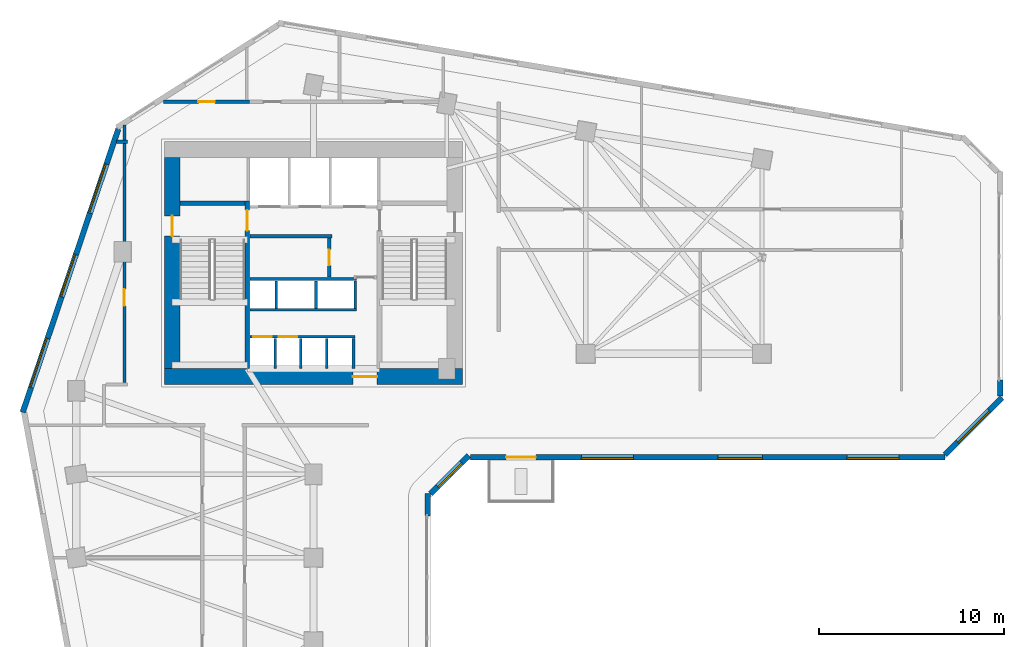
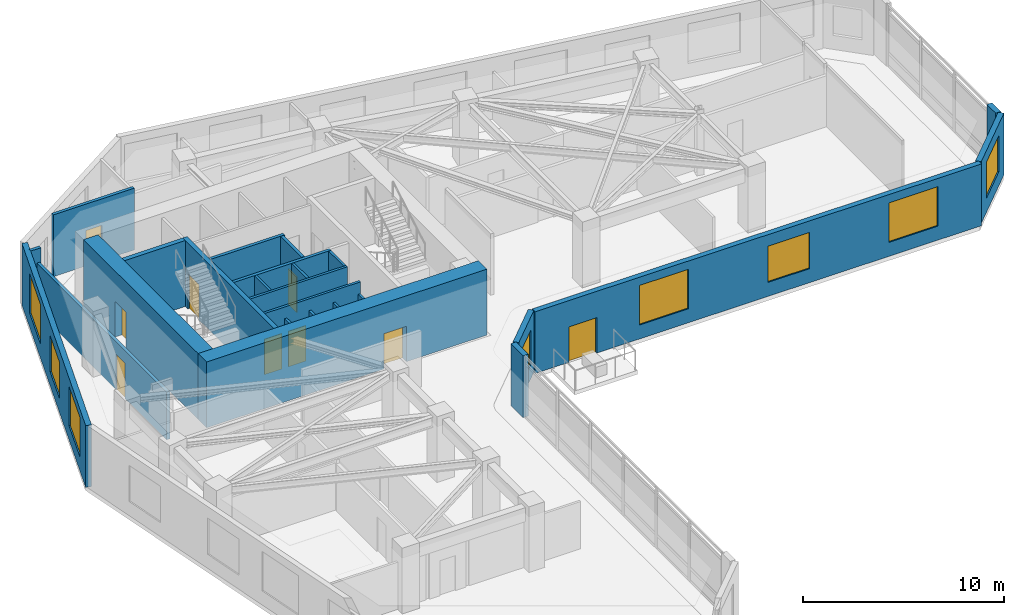
# One storey, part 7 of 11: 25 walls, 9 doors, 8 windows, 17 openings.
"""IFC4 building model written with IfcOpenShell, lengths in metres."""

import ifcopenshell
import ifcopenshell.guid

model = None  # the IFC model being written
_history = None  # IfcOwnerHistory: only IFC2X3 demands one
_inside = {}  # id of a spatial element -> (the spatial element, [elements in it])
_under = {}  # id of a project, library or spatial element -> (it, [spatial elements below it])
_declared = {}  # id of a project -> (the project, [libraries it declares])
_typed = {}  # id of a type object -> (the type object, [elements of that type])
_made_of = {}  # id of a material, layer set ... -> (it, [elements and type objects made of it])


def new_model(schema):
    """Start an empty IFC model of exactly this schema.

    Asked for "IFC4X3", IfcOpenShell would pick the latest addendum, in which some entities
    have other attributes; the version numbers below select the first issue.
    IFC2X3 requires an IfcOwnerHistory on every rooted entity: one is made here for all.
    """
    global model, _history
    if schema == "IFC4X3":
        model = ifcopenshell.file(schema_version=(4, 3, 0, 0))
    else:
        model = ifcopenshell.file(schema=schema)
    _inside.clear()
    _under.clear()
    _declared.clear()
    _typed.clear()
    _made_of.clear()
    _history = None
    if model.schema == "IFC2X3":
        org = make("IfcOrganization", Name="unknown")
        user = make(
            "IfcPersonAndOrganization",
            ThePerson=make("IfcPerson", FamilyName="unknown"),
            TheOrganization=org,
        )
        app = make(
            "IfcApplication",
            ApplicationDeveloper=org,
            Version="unknown",
            ApplicationFullName="unknown",
            ApplicationIdentifier="unknown",
        )
        _history = make(
            "IfcOwnerHistory",
            OwningUser=user,
            OwningApplication=app,
            ChangeAction="ADDED",
            CreationDate=0,
        )
    return model


def make(cls, **values):
    """One entity of the class cls with the attributes given. An attribute that is None is left unset."""
    return model.create_entity(
        cls, **{name: value for name, value in values.items() if value is not None}
    )


def rooted(cls, **values):
    """An entity with a GlobalId (a new one), such as an element, a storey or a relation."""
    return make(cls, GlobalId=ifcopenshell.guid.new(), OwnerHistory=_history, **values)


def si_unit(unit_type, name, prefix=None):
    """IfcSIUnit, for example si_unit("LENGTHUNIT", "METRE", prefix="MILLI")."""
    return make("IfcSIUnit", UnitType=unit_type, Prefix=prefix, Name=name)


def assignment(units):
    """IfcUnitAssignment: the units of a project."""
    return None if units is None else make("IfcUnitAssignment", Units=units)


def point(xyz):
    """IfcCartesianPoint."""
    return None if xyz is None else make("IfcCartesianPoint", Coordinates=xyz)


def direction(xyz):
    """IfcDirection."""
    return None if xyz is None else make("IfcDirection", DirectionRatios=xyz)


def frame(location, z_axis=None, x_axis=None):
    """IfcAxis2Placement3D, a coordinate frame: its origin and axes. An axis left out is left unset."""
    return make(
        "IfcAxis2Placement3D",
        Location=point(location),
        Axis=direction(z_axis),
        RefDirection=direction(x_axis),
    )


def frame_2d(location, x_axis=None):
    """IfcAxis2Placement2D, a coordinate frame in the plane: its origin and x axis."""
    return make(
        "IfcAxis2Placement2D", Location=point(location), RefDirection=direction(x_axis)
    )


def origin():
    """The frame at (0, 0, 0) with its axes left unset."""
    return frame((0.0, 0.0, 0.0))


def place(relative_to, where):
    """IfcLocalPlacement: puts the frame where relative to a parent placement (None: the world)."""
    return make(
        "IfcLocalPlacement", PlacementRelTo=relative_to, RelativePlacement=where
    )


def context(
    kind, dimensions, precision=None, world=None, true_north=None, identifier=None
):
    """IfcGeometricRepresentationContext, for example the 3D "Model" context."""
    return make(
        "IfcGeometricRepresentationContext",
        ContextIdentifier=identifier,
        ContextType=kind,
        CoordinateSpaceDimension=dimensions,
        Precision=precision,
        WorldCoordinateSystem=world,
        TrueNorth=true_north,
    )


def subcontext(parent, identifier, kind, view, scale=None):
    """IfcGeometricRepresentationSubContext, for example "Body" below "Model"."""
    return make(
        "IfcGeometricRepresentationSubContext",
        ContextIdentifier=identifier,
        ContextType=kind,
        ParentContext=parent,
        TargetScale=scale,
        TargetView=view,
    )


def project(units=None, contexts=None):
    """IfcProject with its units and contexts."""
    return rooted(
        "IfcProject",
        Name="project",
        RepresentationContexts=contexts,
        UnitsInContext=assignment(units),
    )


def spatial(cls, under=None, at=None, **own):
    """A site, building, storey or space (cls), placed at a placement, below another one or the project."""
    s = rooted(cls, ObjectPlacement=at, **own)
    if under is not None:
        _under.setdefault(under.id(), (under, []))[1].append(s)
    return s


def profile(cls, at=None, kind="AREA", **sizes):
    """A parametric profile (cls). Its sizes go by their IFC names, for example OverallWidth=200.0."""
    return make(cls, ProfileType=kind, Position=at, **sizes)


def rectangle(**sizes):
    """IfcRectangleProfileDef."""
    return profile("IfcRectangleProfileDef", **sizes)


def extrude(swept, where, along, depth):
    """IfcExtrudedAreaSolid: the profile swept, set in the frame where, extruded along a direction by depth."""
    return make(
        "IfcExtrudedAreaSolid",
        SweptArea=swept,
        Position=where,
        ExtrudedDirection=direction(along),
        Depth=depth,
    )


def shape(context_of_items, identifier, shape_type, items):
    """IfcShapeRepresentation: the items that make up one representation, for example the "Body"."""
    return make(
        "IfcShapeRepresentation",
        ContextOfItems=context_of_items,
        RepresentationIdentifier=identifier,
        RepresentationType=shape_type,
        Items=items,
    )


def source(mapping_origin, context_of_items, identifier, shape_type, items):
    """IfcRepresentationMap: a shape defined once, which mapped items show again and again."""
    return make(
        "IfcRepresentationMap",
        MappingOrigin=mapping_origin,
        MappedRepresentation=shape(context_of_items, identifier, shape_type, items),
    )


def transform(
    local_origin,
    x_axis=None,
    y_axis=None,
    z_axis=None,
    scale=None,
    scale2=None,
    scale3=None,
    uniform=True,
):
    """IfcCartesianTransformationOperator3D, or its non-uniform kind. x_axis, y_axis, z_axis: its Axis1, 2, 3."""
    if uniform:
        return make(
            "IfcCartesianTransformationOperator3D",
            Axis1=direction(x_axis),
            Axis2=direction(y_axis),
            LocalOrigin=point(local_origin),
            Scale=scale,
            Axis3=direction(z_axis),
        )
    return make(
        "IfcCartesianTransformationOperator3DnonUniform",
        Axis1=direction(x_axis),
        Axis2=direction(y_axis),
        LocalOrigin=point(local_origin),
        Scale=scale,
        Axis3=direction(z_axis),
        Scale2=scale2,
        Scale3=scale3,
    )


def mapped(mapping_source, mapping_target):
    """IfcMappedItem: shows the shape of a source again, moved by a transform."""
    return make(
        "IfcMappedItem", MappingSource=mapping_source, MappingTarget=mapping_target
    )


def material(Name=None, Category=None):
    """IfcMaterial."""
    return make("IfcMaterial", Name=Name, Category=Category)


def layer(
    of_material, thickness, ventilated=None, Name=None, Category=None, Priority=None
):
    """IfcMaterialLayer: one layer of a wall or slab, of a material (None: an air gap)."""
    return make(
        "IfcMaterialLayer",
        Material=of_material,
        LayerThickness=thickness,
        IsVentilated=ventilated,
        Name=Name,
        Category=Category,
        Priority=Priority,
    )


def layer_set(layers, Name=None):
    """IfcMaterialLayerSet."""
    return make("IfcMaterialLayerSet", MaterialLayers=layers, LayerSetName=Name)


def made_of(thing, what):
    """Note that an element or type object is made of a material, layer set ...; save() writes the relation."""
    if what is not None:
        _made_of.setdefault(what.id(), (what, []))[1].append(thing)
    return thing


def type_object(cls, material=None, **own):
    """A type object (cls), such as IfcWallType, which elements share."""
    return made_of(rooted(cls, **own), material)


def element(
    cls,
    number,
    at=None,
    inside=None,
    cuts=None,
    type_object=None,
    material=None,
    context=None,
    identifier="Body",
    shape_type=None,
    held_by="IfcProductDefinitionShape",
    body=None,
    shapes=None,
    **own,
):
    """One element of the class cls, such as IfcWall. Its Tag is "e" and its number.

    at: its placement. inside: the storey or other place that contains it. cuts: it is an
    opening in that element (IfcRelVoidsElement). A single representation is given by context,
    identifier, shape_type and body (its items); several are given by shapes. held_by: the class
    of the entity that holds the representations. save() writes the other relations.
    """
    e = rooted(cls, Tag="e%d" % number, ObjectPlacement=at, **own)
    if body is not None:
        shapes = [shape(context, identifier, shape_type, body)]
    if shapes is not None:
        e.Representation = make(held_by, Representations=shapes)
    if inside is not None:
        _inside.setdefault(inside.id(), (inside, []))[1].append(e)
    if cuts is not None:
        rooted(
            "IfcRelVoidsElement", RelatingBuildingElement=cuts, RelatedOpeningElement=e
        )
    if type_object is not None:
        _typed.setdefault(type_object.id(), (type_object, []))[1].append(e)
    return made_of(e, material)


def fill(opening, filler):
    """IfcRelFillsElement: the door or window that sits in an opening."""
    return rooted(
        "IfcRelFillsElement",
        RelatingOpeningElement=opening,
        RelatedBuildingElement=filler,
    )


def aggregate(whole, parts):
    """IfcRelAggregates: a whole, such as a stair, and the parts it consists of."""
    return rooted("IfcRelAggregates", RelatingObject=whole, RelatedObjects=parts)


def save(model, path):
    """Write the relations noted so far, then the file.

    IfcRelAggregates (storeys below a building ...), IfcRelContainedInSpatialStructure (elements
    in a storey), IfcRelDefinesByType, IfcRelAssociatesMaterial and IfcRelDeclares: one each for
    every whole, place, type object, material and project.
    """
    for whole, parts in _under.values():
        aggregate(whole, parts)
    for where, things in _inside.values():
        rooted(
            "IfcRelContainedInSpatialStructure",
            RelatedElements=things,
            RelatingStructure=where,
        )
    for kind, things in _typed.values():
        rooted("IfcRelDefinesByType", RelatedObjects=things, RelatingType=kind)
    for what, things in _made_of.values():
        rooted("IfcRelAssociatesMaterial", RelatedObjects=things, RelatingMaterial=what)
    for by, libraries in _declared.values():
        rooted("IfcRelDeclares", RelatingContext=by, RelatedDefinitions=libraries)
    model.write(path)


model = new_model("IFC4")

# Units and contexts
model_context = context("Model", 3, precision=1e-05, world=origin(), true_north=direction((0.0, 1.0)))
body_context = subcontext(model_context, "Body", "Model", "MODEL_VIEW")
ifc_project = project(units=[si_unit("LENGTHUNIT", "METRE"), si_unit("AREAUNIT", "SQUARE_METRE"), si_unit("VOLUMEUNIT", "CUBIC_METRE"), si_unit("PLANEANGLEUNIT", "RADIAN"), si_unit("MASSUNIT", "GRAM", prefix="KILO")], contexts=[model_context])

# Site, building, storey
site_placement = place(None, origin())
site = spatial("IfcSite", under=ifc_project, at=site_placement, CompositionType="ELEMENT")
building_placement = place(site_placement, origin())
building = spatial("IfcBuilding", under=site, at=building_placement, Name="Calvemar Wedge Station Tower", CompositionType="ELEMENT")
storey_placement = place(building_placement, frame((0.0, 0.0, 43.0)))
storey = spatial("IfcBuildingStorey", under=building, at=storey_placement, Name="L10", CompositionType="ELEMENT", Elevation=43.0)

# Wall, opening, door
ifc_material_1 = material(Name="Concrete C50", Category="concrete")
ifc_layer_1 = layer(ifc_material_1, 0.260009765625)
ifc_layer_set_1 = layer_set([ifc_layer_1], Name="Concrete C50")
wall_type_1 = type_object("IfcWallType", Name="SW-CORE-260", PredefinedType="SHEAR", material=ifc_layer_set_1)
wall_1_placement = place(storey_placement, frame((20.22998046875, 34.199951171875, 0.0), z_axis=(0.0, 0.0, 1.0), x_axis=(0.0, 1.0, 0.0)))
wall_1 = element("IfcWall", 1, at=wall_1_placement, inside=storey, type_object=wall_type_1, Name="Storey L10 Core Shear Wall SPINE-W", PredefinedType="SHEAR", context=body_context, shape_type="SweptSolid", body=[
    extrude(rectangle(XDim=9.06005859375, YDim=0.260009765625, at=frame_2d((4.530029296875, 0.0))), origin(), (0.0, 0.0, 1.0), 4.0),
])
shared_shape_1 = source(origin(), body_context, "Body", "SweptSolid", [
    extrude(rectangle(XDim=1.10009765625, YDim=2.14990234375, at=frame_2d((0.550048828125, 1.074951171875))), frame((0.0, 0.14013671875, 0.0), z_axis=(0.0, -1.0, 0.0), x_axis=(1.0, 0.0, 0.0)), (0.0, 0.0, 1.0), 0.280029296875),
])
opening_1_placement = place(wall_1_placement, frame((7.449951171875, 0.0, 0.0)))
opening_1 = element("IfcOpeningElement", 2, at=opening_1_placement, cuts=wall_1, Name="Opening FD-90", PredefinedType="OPENING", context=body_context, shape_type="MappedRepresentation", body=[
    mapped(shared_shape_1, transform((0.0, 0.0, 0.0), scale=1.0)),
])
ifc_material_2 = material(Name="Galvanized fire-rated steel door leaf P-90", Category="steel")
door_type_1 = type_object("IfcDoorType", Name="DR-FD90-1100", OperationType="NOTDEFINED", PredefinedType="DOOR", material=ifc_material_2)
shared_shape_2 = source(origin(), body_context, "Body", "SweptSolid", [
    extrude(rectangle(XDim=1.10009765625, YDim=2.14990234375, at=frame_2d((0.550048828125, 1.074951171875))), frame((0.0, 0.02490234375, 0.0), z_axis=(0.0, -1.0, 0.0), x_axis=(1.0, 0.0, 0.0)), (0.0, 0.0, 1.0), 0.050048828125),
])
door_1_placement = place(opening_1_placement, origin())
door_1 = element("IfcDoor", 3, at=door_1_placement, inside=storey, type_object=door_type_1, Name="L10 FF Lobby to Stair ST-C1 Door", OperationType="SINGLE_SWING_RIGHT", OverallHeight=2.14990234375, OverallWidth=1.10009765625, PredefinedType="DOOR", context=body_context, shape_type="MappedRepresentation", body=[
    mapped(shared_shape_2, transform((0.0, 0.0, 0.0), scale=1.0)),
])
fill(opening_1, door_1)

# Wall
wall_2_placement = place(storey_placement, frame((16.60009765625, 43.1298828125, 0.0), z_axis=(0.0, 0.0, 1.0), x_axis=(1.0, 0.0, 0.0)))
element("IfcWall", 4, at=wall_2_placement, inside=storey, type_object=wall_type_1, Name="Storey L10 Core Shear Wall STC1-N", PredefinedType="SHEAR", context=body_context, shape_type="SweptSolid", body=[
    extrude(rectangle(XDim=3.5, YDim=0.260009765625, at=frame_2d((1.75, 0.0))), origin(), (0.0, 0.0, 1.0), 4.0),
])

# Wall, opening, door
ifc_material_3 = material(Name="Concrete C80", Category="concrete")
ifc_layer_2 = layer(ifc_material_3, 0.85009765625)
ifc_layer_set_2 = layer_set([ifc_layer_2], Name="Concrete C80")
wall_type_2 = type_object("IfcWallType", Name="SW-CORE-850", PredefinedType="SHEAR", material=ifc_layer_set_2)
wall_3_placement = place(storey_placement, frame((15.75, 33.77490234375, 0.0), z_axis=(0.0, 0.0, 1.0), x_axis=(1.0, 0.0, 0.0)))
wall_3 = element("IfcWall", 5, at=wall_3_placement, inside=storey, type_object=wall_type_2, Name="Storey L10 Core Shear Wall S", PredefinedType="SHEAR", context=body_context, shape_type="SweptSolid", body=[
    extrude(rectangle(XDim=16.10009765625, YDim=0.85009765625, at=frame_2d((8.050048828125, 0.0))), origin(), (0.0, 0.0, 1.0), 4.0),
])
shared_shape_3 = source(origin(), body_context, "Body", "SweptSolid", [
    extrude(rectangle(XDim=1.300048828125, YDim=2.14990234375, at=frame_2d((0.64990234375, 1.074951171875))), frame((0.0, 0.43505859375, 0.0), z_axis=(0.0, -1.0, 0.0), x_axis=(1.0, 0.0, 0.0)), (0.0, 0.0, 1.0), 0.8701171875),
])
opening_2_placement = place(wall_3_placement, frame((10.179931640625, 0.0, 0.0)))
opening_2 = element("IfcOpeningElement", 6, at=opening_2_placement, cuts=wall_3, Name="Opening DD-130", PredefinedType="OPENING", context=body_context, shape_type="MappedRepresentation", body=[
    mapped(shared_shape_3, transform((0.0, 0.0, 0.0), scale=1.0)),
])
ifc_material_4 = material(Name="Double-leaf lift lobby fire door EI 60")
door_type_2 = type_object("IfcDoorType", Name="DR-DBL-1300", OperationType="DOUBLE_DOOR_SINGLE_SWING", PredefinedType="DOOR", material=ifc_material_4)
shared_shape_4 = source(origin(), body_context, "Body", "SweptSolid", [
    extrude(rectangle(XDim=1.300048828125, YDim=2.14990234375, at=frame_2d((0.64990234375, 1.074951171875))), frame((0.0, 0.02490234375, 0.0), z_axis=(0.0, -1.0, 0.0), x_axis=(1.0, 0.0, 0.0)), (0.0, 0.0, 1.0), 0.050048828125),
])
door_2_placement = place(opening_2_placement, origin())
door_2 = element("IfcDoor", 7, at=door_2_placement, inside=storey, type_object=door_type_2, Name="L10 Passenger Lift Lobby Door", OperationType="DOUBLE_DOOR_SINGLE_SWING", OverallHeight=2.14990234375, OverallWidth=1.300048828125, PredefinedType="DOOR", context=body_context, shape_type="MappedRepresentation", body=[
    mapped(shared_shape_4, transform((0.0, 0.0, 0.0), scale=1.0)),
])
fill(opening_2, door_2)

wall_4_placement = place(storey_placement, frame((16.175048828125, 34.199951171875, 0.0), z_axis=(0.0, 0.0, 1.0), x_axis=(0.0, 1.0, 0.0)))
wall_4 = element("IfcWall", 8, at=wall_4_placement, inside=storey, type_object=wall_type_2, Name="Storey L10 Core Shear Wall W", PredefinedType="SHEAR", context=body_context, shape_type="SweptSolid", body=[
    extrude(rectangle(XDim=11.400146484375, YDim=0.85009765625, at=frame_2d((5.7001953125, 0.0))), origin(), (0.0, 0.0, 1.0), 4.0),
])
shared_shape_5 = source(origin(), body_context, "Body", "SweptSolid", [
    extrude(rectangle(XDim=1.10009765625, YDim=2.14990234375, at=frame_2d((0.550048828125, 1.074951171875))), frame((0.0, 0.43505859375, 0.0), z_axis=(0.0, -1.0, 0.0), x_axis=(1.0, 0.0, 0.0)), (0.0, 0.0, 1.0), 0.8701171875),
])
opening_3_placement = place(wall_4_placement, frame((7.14990234375, 0.0, 0.0)))
opening_3 = element("IfcOpeningElement", 9, at=opening_3_placement, cuts=wall_4, Name="Opening FD-90", PredefinedType="OPENING", context=body_context, shape_type="MappedRepresentation", body=[
    mapped(shared_shape_5, transform((0.0, 0.0, 0.0), scale=1.0)),
])
door_3_placement = place(opening_3_placement, origin())
door_3 = element("IfcDoor", 10, at=door_3_placement, inside=storey, type_object=door_type_1, Name="L10 West Corridor to Exit Stair ST-C1 Door", OperationType="SINGLE_SWING_RIGHT", OverallHeight=2.14990234375, OverallWidth=1.10009765625, PredefinedType="DOOR", context=body_context, shape_type="MappedRepresentation", body=[
    mapped(shared_shape_2, transform((0.0, 0.0, 0.0), scale=1.0)),
])
fill(opening_3, door_3)

# Wall
ifc_material_5 = material(Name="Double-stud fire-rated corridor partition")
ifc_layer_3 = layer(ifc_material_5, 0.179931640625)
ifc_layer_set_3 = layer_set([ifc_layer_3], Name="Double-stud fire-rated corridor partition")
wall_type_3 = type_object("IfcWallType", Name="W-CORR-180", PredefinedType="PARTITIONING", material=ifc_layer_set_3)
wall_5_placement = place(storey_placement, frame((24.81005859375, 41.35009765625, 0.0), z_axis=(0.0, 0.0, 1.0), x_axis=(-1.0, 0.0, 0.0)))
element("IfcWall", 11, at=wall_5_placement, inside=storey, type_object=wall_type_3, Name="Storey L10 Interior Partition WL-L10-001", PredefinedType="PARTITIONING", context=body_context, shape_type="SweptSolid", body=[
    extrude(rectangle(XDim=4.43017578125, YDim=0.179931640625, at=frame_2d((2.215087890625, 0.0))), origin(), (0.0, 0.0, 1.0), 3.75),
])

# Wall, opening, door
wall_6_placement = place(storey_placement, frame((24.64990234375, 41.256103515625, 0.0), z_axis=(0.0, 0.0, 1.0), x_axis=(0.0, -1.0, 0.0)))
wall_6 = element("IfcWall", 12, at=wall_6_placement, inside=storey, type_object=wall_type_3, Name="Storey L10 Interior Partition WL-L10-002", PredefinedType="PARTITIONING", context=body_context, shape_type="SweptSolid", body=[
    extrude(rectangle(XDim=2.106201171875, YDim=0.179931640625, at=frame_2d((1.05322265625, 0.0))), origin(), (0.0, 0.0, 1.0), 3.75),
])
shared_shape_6 = source(origin(), body_context, "Body", "SweptSolid", [
    extrude(rectangle(XDim=0.85009765625, YDim=2.14990234375, at=frame_2d((0.425048828125, 1.074951171875))), frame((0.0, 0.10009765625, 0.0), z_axis=(0.0, -1.0, 0.0), x_axis=(1.0, 0.0, 0.0)), (0.0, 0.0, 1.0), 0.199951171875),
])
opening_4_placement = place(wall_6_placement, frame((0.6279296875, 0.0, 0.0)))
opening_4 = element("IfcOpeningElement", 13, at=opening_4_placement, cuts=wall_6, Name="Opening FD-60S", PredefinedType="OPENING", context=body_context, shape_type="MappedRepresentation", body=[
    mapped(shared_shape_6, transform((0.0, 0.0, 0.0), scale=1.0)),
])
ifc_material_6 = material(Name="Fire-rated steel and hardwood service door EI 60", Category="steel")
door_type_3 = type_object("IfcDoorType", Name="DR-CORE-FD60-850", OperationType="NOTDEFINED", PredefinedType="DOOR", material=ifc_material_6)
shared_shape_7 = source(origin(), body_context, "Body", "SweptSolid", [
    extrude(rectangle(XDim=0.85009765625, YDim=2.14990234375, at=frame_2d((0.425048828125, 1.074951171875))), frame((0.0, 0.02490234375, 0.0), z_axis=(0.0, -1.0, 0.0), x_axis=(1.0, 0.0, 0.0)), (0.0, 0.0, 1.0), 0.050048828125),
])
door_4_placement = place(opening_4_placement, origin())
door_4 = element("IfcDoor", 14, at=door_4_placement, inside=storey, type_object=door_type_3, Name="L10 Cleaner and Linen Store Door", OperationType="SINGLE_SWING_RIGHT", OverallHeight=2.14990234375, OverallWidth=0.85009765625, PredefinedType="DOOR", context=body_context, shape_type="MappedRepresentation", body=[
    mapped(shared_shape_7, transform((0.0, 0.0, 0.0), scale=1.0)),
])
fill(opening_4, door_4)

wall_7_placement = place(storey_placement, frame((13.60009765625, 33.444091796875, 0.0), z_axis=(0.0, 0.0, 1.0), x_axis=(0.0, 1.0, 0.0)))
wall_7 = element("IfcWall", 15, at=wall_7_placement, inside=storey, type_object=wall_type_3, Name="Storey L10 Interior Partition WL-L10-008", PredefinedType="PARTITIONING", context=body_context, shape_type="SweptSolid", body=[
    extrude(rectangle(XDim=13.896240234375, YDim=0.179931640625, at=frame_2d((6.9482421875, 0.0))), origin(), (0.0, 0.0, 1.0), 2.89208984375),
])
shared_shape_8 = source(origin(), body_context, "Body", "SweptSolid", [
    extrude(rectangle(XDim=0.89990234375, YDim=2.14990234375, at=frame_2d((0.449951171875, 1.074951171875))), frame((0.0, 0.10009765625, 0.0), z_axis=(0.0, -1.0, 0.0), x_axis=(1.0, 0.0, 0.0)), (0.0, 0.0, 1.0), 0.199951171875),
])
opening_5_placement = place(wall_7_placement, frame((4.143798828125, 0.0, 0.0)))
opening_5 = element("IfcOpeningElement", 16, at=opening_5_placement, cuts=wall_7, Name="Opening D-01", PredefinedType="OPENING", context=body_context, shape_type="MappedRepresentation", body=[
    mapped(shared_shape_8, transform((0.0, 0.0, 0.0), scale=1.0)),
])
ifc_material_7 = material(Name="Architectural hardwood acoustic swing door", Category="wood")
door_type_4 = type_object("IfcDoorType", Name="DR-INT-900", OperationType="NOTDEFINED", PredefinedType="DOOR", material=ifc_material_7)
shared_shape_9 = source(origin(), body_context, "Body", "SweptSolid", [
    extrude(rectangle(XDim=0.89990234375, YDim=2.14990234375, at=frame_2d((0.449951171875, 1.074951171875))), frame((0.0, 0.02490234375, 0.0), z_axis=(0.0, -1.0, 0.0), x_axis=(1.0, 0.0, 0.0)), (0.0, 0.0, 1.0), 0.050048828125),
])
door_5_placement = place(opening_5_placement, origin())
door_5 = element("IfcDoor", 17, at=door_5_placement, inside=storey, type_object=door_type_4, Name="L10 Co-Working Studio Door", OperationType="SINGLE_SWING_RIGHT", OverallHeight=2.14990234375, OverallWidth=0.89990234375, PredefinedType="DOOR", context=body_context, shape_type="MappedRepresentation", body=[
    mapped(shared_shape_9, transform((0.0, 0.0, 0.0), scale=1.0)),
])
fill(opening_5, door_5)

# Wall
wall_8_placement = place(storey_placement, frame((13.760009765625, 46.449951171875, 0.0), z_axis=(0.0, 0.0, 1.0), x_axis=(-1.0, 0.0, 0.0)))
element("IfcWall", 18, at=wall_8_placement, inside=storey, type_object=wall_type_3, Name="Storey L10 Interior Partition WL-L10-009", PredefinedType="PARTITIONING", context=body_context, shape_type="SweptSolid", body=[
    extrude(rectangle(XDim=0.60107421875, YDim=0.179931640625, at=frame_2d((0.300537109375, 0.0))), origin(), (0.0, 0.0, 1.0), 3.75),
])

# Wall, opening, door
wall_9_placement = place(storey_placement, frame((15.709716796875, 48.60009765625, 0.0), z_axis=(0.0, 0.0, 1.0), x_axis=(1.0, 0.0, 0.0)))
wall_9 = element("IfcWall", 19, at=wall_9_placement, inside=storey, type_object=wall_type_3, Name="Storey L10 Interior Partition WL-L10-010", PredefinedType="PARTITIONING", context=body_context, shape_type="SweptSolid", body=[
    extrude(rectangle(XDim=4.650390625, YDim=0.179931640625, at=frame_2d((2.3251953125, 0.0))), origin(), (0.0, 0.0, 1.0), 3.75),
])
opening_6_placement = place(wall_9_placement, frame((1.875, 0.0, 0.0)))
opening_6 = element("IfcOpeningElement", 20, at=opening_6_placement, cuts=wall_9, Name="Opening D-01", PredefinedType="OPENING", context=body_context, shape_type="MappedRepresentation", body=[
    mapped(shared_shape_8, transform((0.0, 0.0, 0.0), scale=1.0)),
])
door_6_placement = place(opening_6_placement, origin())
door_6 = element("IfcDoor", 21, at=door_6_placement, inside=storey, type_object=door_type_4, Name="L10 Male Toilet Door", OperationType="SINGLE_SWING_LEFT", OverallHeight=2.14990234375, OverallWidth=0.89990234375, PredefinedType="DOOR", context=body_context, shape_type="MappedRepresentation", body=[
    mapped(shared_shape_9, transform((0.0, 0.0, 0.0), scale=1.0)),
])
fill(opening_6, door_6)

# Wall
ifc_material_8 = material(Name="Precast concrete C45", Category="concrete")
ifc_layer_4 = layer(ifc_material_8, 0.300048828125)
ifc_layer_set_4 = layer_set([ifc_layer_4], Name="Precast concrete C45")
wall_type_4 = type_object("IfcWallType", Name="W-EXT-GFRC-300", PredefinedType="SOLIDWALL", material=ifc_layer_set_4)
wall_10_placement = place(storey_placement, frame((29.97802734375, 26.2470703125, 0.0), z_axis=(0.0, 0.0, 1.0), x_axis=(0.0, 1.0, 0.0)))
element("IfcWall", 22, at=wall_10_placement, inside=storey, type_object=wall_type_4, Name="Storey L10 Bronze GFRC Corner Pier 4B", PredefinedType="SOLIDWALL", context=body_context, shape_type="SweptSolid", body=[
    extrude(rectangle(XDim=1.22509765625, YDim=0.300048828125, at=frame_2d((0.612548828125, 0.0))), origin(), (0.0, 0.0, 1.0), 3.75),
])

# Wall, opening, window
wall_11_placement = place(storey_placement, frame((30.115966796875, 27.460205078125, 0.0), z_axis=(0.0, 0.0, 1.0), x_axis=(0.707106781187, 0.707106781187, 0.0)))
wall_11 = element("IfcWall", 23, at=wall_11_placement, inside=storey, type_object=wall_type_4, Name="Storey L10 Bronze GFRC Exterior Wall 5", PredefinedType="SOLIDWALL", context=body_context, shape_type="SweptSolid", body=[
    extrude(rectangle(XDim=2.907470703125, YDim=0.300048828125, at=frame_2d((1.45361328125, 0.0))), origin(), (0.0, 0.0, 1.0), 3.75),
])
shared_shape_10 = source(origin(), body_context, "Body", "SweptSolid", [
    extrude(rectangle(XDim=1.800048828125, YDim=2.10009765625, at=frame_2d((0.89990234375, 1.050048828125))), frame((0.0, 0.16015625, 0.0), z_axis=(0.0, -1.0, 0.0), x_axis=(1.0, 0.0, 0.0)), (0.0, 0.0, 1.0), 0.320068359375),
])
opening_7_placement = place(wall_11_placement, frame((0.553955078125, 0.0, 0.85009765625)))
opening_7 = element("IfcOpeningElement", 24, at=opening_7_placement, cuts=wall_11, Name="Opening W2", PredefinedType="OPENING", context=body_context, shape_type="MappedRepresentation", body=[
    mapped(shared_shape_10, transform((0.0, 0.0, 0.0), scale=1.0)),
])
ifc_material_9 = material(Name="Low-E laminated insulated glass", Category="glass")
window_type_1 = type_object("IfcWindowType", Name="WIN-EXT-2", PartitioningType="SINGLE_PANEL", PredefinedType="WINDOW", material=ifc_material_9)
shared_shape_11 = source(origin(), body_context, "Body", "SweptSolid", [
    extrude(rectangle(XDim=1.800048828125, YDim=2.10009765625, at=frame_2d((0.89990234375, 1.050048828125))), frame((0.0, -0.014892578125, 0.0), z_axis=(0.0, -1.0, 0.0), x_axis=(1.0, 0.0, 0.0)), (0.0, 0.0, 1.0), 0.06005859375),
])
window_1_placement = place(opening_7_placement, origin())
window_1 = element("IfcWindow", 25, at=window_1_placement, inside=storey, type_object=window_type_1, Name="Storey L10 Recessed Window 5.1", OverallHeight=2.10009765625, OverallWidth=1.800048828125, PartitioningType="SINGLE_PANEL", PredefinedType="WINDOW", context=body_context, shape_type="MappedRepresentation", body=[
    mapped(shared_shape_11, transform((0.0, 0.0, 0.0), scale=1.0)),
])
fill(opening_7, window_1)

# Wall, openings, windows, door
wall_12_placement = place(storey_placement, frame((32.260986328125, 29.409912109375, 0.0), z_axis=(0.0, 0.0, 1.0), x_axis=(1.0, 0.0, 0.0)))
wall_12 = element("IfcWall", 26, at=wall_12_placement, inside=storey, type_object=wall_type_4, Name="Storey L10 Bronze GFRC Exterior Wall 6", PredefinedType="SOLIDWALL", context=body_context, shape_type="SweptSolid", body=[
    extrude(rectangle(XDim=25.626953125, YDim=0.300048828125, at=frame_2d((12.8134765625, 0.0))), origin(), (0.0, 0.0, 1.0), 3.75),
])
shared_shape_12 = source(origin(), body_context, "Body", "SweptSolid", [
    extrude(rectangle(XDim=1.60009765625, YDim=2.14990234375, at=frame_2d((0.800048828125, 1.074951171875))), frame((0.0, 0.16015625, 0.0), z_axis=(0.0, -1.0, 0.0), x_axis=(1.0, 0.0, 0.0)), (0.0, 0.0, 1.0), 0.320068359375),
])
opening_8_placement = place(wall_12_placement, frame((1.93896484375, 0.0, 0.0)))
opening_8 = element("IfcOpeningElement", 27, at=opening_8_placement, cuts=wall_12, Name="Opening DT1", PredefinedType="OPENING", context=body_context, shape_type="MappedRepresentation", body=[
    mapped(shared_shape_12, transform((0.0, 0.0, 0.0), scale=1.0)),
])
shared_shape_13 = source(origin(), body_context, "Body", "SweptSolid", [
    extrude(rectangle(XDim=2.800048828125, YDim=2.39990234375, at=frame_2d((1.39990234375, 1.199951171875))), frame((0.0, 0.16015625, 0.0), z_axis=(0.0, -1.0, 0.0), x_axis=(1.0, 0.0, 0.0)), (0.0, 0.0, 1.0), 0.320068359375),
])
opening_9_placement = place(wall_12_placement, frame((6.0, 0.0, 0.85009765625)))
opening_9 = element("IfcOpeningElement", 28, at=opening_9_placement, cuts=wall_12, Name="Opening W6", PredefinedType="OPENING", context=body_context, shape_type="MappedRepresentation", body=[
    mapped(shared_shape_13, transform((0.0, 0.0, 0.0), scale=1.0)),
])
shared_shape_14 = source(origin(), body_context, "Body", "SweptSolid", [
    extrude(rectangle(XDim=2.39990234375, YDim=2.199951171875, at=frame_2d((1.199951171875, 1.10009765625))), frame((0.0, 0.16015625, 0.0), z_axis=(0.0, -1.0, 0.0), x_axis=(1.0, 0.0, 0.0)), (0.0, 0.0, 1.0), 0.320068359375),
])
opening_10_placement = place(wall_12_placement, frame((13.363037109375, 0.0, 0.85009765625)))
opening_10 = element("IfcOpeningElement", 29, at=opening_10_placement, cuts=wall_12, Name="Opening W1", PredefinedType="OPENING", context=body_context, shape_type="MappedRepresentation", body=[
    mapped(shared_shape_14, transform((0.0, 0.0, 0.0), scale=1.0)),
])
opening_11_placement = place(wall_12_placement, frame((20.325927734375, 0.0, 0.85009765625)))
opening_11 = element("IfcOpeningElement", 30, at=opening_11_placement, cuts=wall_12, Name="Opening W6", PredefinedType="OPENING", context=body_context, shape_type="MappedRepresentation", body=[
    mapped(shared_shape_13, transform((0.0, 0.0, 0.0), scale=1.0)),
])
window_type_2 = type_object("IfcWindowType", Name="WIN-EXT-6", PartitioningType="SINGLE_PANEL", PredefinedType="WINDOW", material=ifc_material_9)
shared_shape_15 = source(origin(), body_context, "Body", "SweptSolid", [
    extrude(rectangle(XDim=2.800048828125, YDim=2.39990234375, at=frame_2d((1.39990234375, 1.199951171875))), frame((0.0, -0.014892578125, 0.0), z_axis=(0.0, -1.0, 0.0), x_axis=(1.0, 0.0, 0.0)), (0.0, 0.0, 1.0), 0.06005859375),
])
window_2_placement = place(opening_9_placement, origin())
window_2 = element("IfcWindow", 31, at=window_2_placement, inside=storey, type_object=window_type_2, Name="Storey L10 Recessed Window 6.1", OverallHeight=2.39990234375, OverallWidth=2.800048828125, PartitioningType="SINGLE_PANEL", PredefinedType="WINDOW", context=body_context, shape_type="MappedRepresentation", body=[
    mapped(shared_shape_15, transform((0.0, 0.0, 0.0), scale=1.0)),
])
fill(opening_9, window_2)
window_3_placement = place(opening_11_placement, origin())
window_3 = element("IfcWindow", 32, at=window_3_placement, inside=storey, type_object=window_type_2, Name="Storey L10 Recessed Window 6.3", OverallHeight=2.39990234375, OverallWidth=2.800048828125, PartitioningType="SINGLE_PANEL", PredefinedType="WINDOW", context=body_context, shape_type="MappedRepresentation", body=[
    mapped(shared_shape_15, transform((0.0, 0.0, 0.0), scale=1.0)),
])
fill(opening_11, window_3)
window_type_3 = type_object("IfcWindowType", Name="WIN-EXT-1", PartitioningType="SINGLE_PANEL", PredefinedType="WINDOW", material=ifc_material_9)
shared_shape_16 = source(origin(), body_context, "Body", "SweptSolid", [
    extrude(rectangle(XDim=2.39990234375, YDim=2.199951171875, at=frame_2d((1.199951171875, 1.10009765625))), frame((0.0, -0.014892578125, 0.0), z_axis=(0.0, -1.0, 0.0), x_axis=(1.0, 0.0, 0.0)), (0.0, 0.0, 1.0), 0.06005859375),
])
window_4_placement = place(opening_10_placement, origin())
window_4 = element("IfcWindow", 33, at=window_4_placement, inside=storey, type_object=window_type_3, Name="Storey L10 Recessed Window 6.2", OverallHeight=2.199951171875, OverallWidth=2.39990234375, PartitioningType="SINGLE_PANEL", PredefinedType="WINDOW", context=body_context, shape_type="MappedRepresentation", body=[
    mapped(shared_shape_16, transform((0.0, 0.0, 0.0), scale=1.0)),
])
fill(opening_10, window_4)
ifc_material_10 = material(Name="Anodised aluminium 6063-T6", Category="aluminium")
door_type_5 = type_object("IfcDoorType", Name="DR-TERR-1600", OperationType="DOUBLE_DOOR_SLIDING", PredefinedType="DOOR", material=ifc_material_10)
shared_shape_17 = source(origin(), body_context, "Body", "SweptSolid", [
    extrude(rectangle(XDim=1.60009765625, YDim=2.14990234375, at=frame_2d((0.800048828125, 1.074951171875))), frame((0.0, 0.02490234375, 0.0), z_axis=(0.0, -1.0, 0.0), x_axis=(1.0, 0.0, 0.0)), (0.0, 0.0, 1.0), 0.050048828125),
])
door_7_placement = place(opening_8_placement, origin())
door_7 = element("IfcDoor", 34, at=door_7_placement, inside=storey, type_object=door_type_5, Name="Storey L10 Spiral Terrace Door", OperationType="DOUBLE_DOOR_SLIDING", OverallHeight=2.14990234375, OverallWidth=1.60009765625, PredefinedType="DOOR", context=body_context, shape_type="MappedRepresentation", body=[
    mapped(shared_shape_17, transform((0.0, 0.0, 0.0), scale=1.0)),
])
fill(opening_8, door_7)

# Wall, opening, window
wall_13_placement = place(storey_placement, frame((57.8759765625, 29.548095703125, 0.0), z_axis=(0.0, 0.0, 1.0), x_axis=(0.707106781187, 0.707106781187, 0.0)))
wall_13 = element("IfcWall", 35, at=wall_13_placement, inside=storey, type_object=wall_type_4, Name="Storey L10 Bronze GFRC Exterior Wall 7", PredefinedType="SOLIDWALL", context=body_context, shape_type="SweptSolid", body=[
    extrude(rectangle(XDim=4.35595703125, YDim=0.300048828125, at=frame_2d((2.177978515625, 0.0))), origin(), (0.0, 0.0, 1.0), 3.75),
])
opening_12_placement = place(wall_13_placement, frame((0.97802734375, 0.0, 0.85009765625)))
opening_12 = element("IfcOpeningElement", 36, at=opening_12_placement, cuts=wall_13, Name="Opening W1", PredefinedType="OPENING", context=body_context, shape_type="MappedRepresentation", body=[
    mapped(shared_shape_14, transform((0.0, 0.0, 0.0), scale=1.0)),
])
window_5_placement = place(opening_12_placement, origin())
window_5 = element("IfcWindow", 37, at=window_5_placement, inside=storey, type_object=window_type_3, Name="Storey L10 Recessed Window 7.1", OverallHeight=2.199951171875, OverallWidth=2.39990234375, PartitioningType="SINGLE_PANEL", PredefinedType="WINDOW", context=body_context, shape_type="MappedRepresentation", body=[
    mapped(shared_shape_16, transform((0.0, 0.0, 0.0), scale=1.0)),
])
fill(opening_12, window_5)

# Wall
wall_14_placement = place(storey_placement, frame((60.85009765625, 32.71728515625, 0.0), z_axis=(0.0, 0.0, 1.0), x_axis=(0.0, 1.0, 0.0)))
element("IfcWall", 38, at=wall_14_placement, inside=storey, type_object=wall_type_4, Name="Storey L10 Bronze GFRC Corner Pier 8A", PredefinedType="SOLIDWALL", context=body_context, shape_type="SweptSolid", body=[
    extrude(rectangle(XDim=0.8798828125, YDim=0.300048828125, at=frame_2d((0.43994140625, 0.0))), origin(), (0.0, 0.0, 1.0), 3.75),
])

# Wall, openings, windows
wall_15_placement = place(storey_placement, frame((13.2685546875, 47.1337890625, 0.0), z_axis=(0.0, 0.0, 1.0), x_axis=(-0.319920423265, -0.947444416722, 0.0)))
wall_15 = element("IfcWall", 39, at=wall_15_placement, inside=storey, type_object=wall_type_4, Name="Storey L10 Bronze GFRC Exterior Wall 12", PredefinedType="SOLIDWALL", context=body_context, shape_type="SweptSolid", body=[
    extrude(rectangle(XDim=16.134765625, YDim=0.300048828125, at=frame_2d((8.0673828125, 0.0))), origin(), (0.0, 0.0, 1.0), 3.75),
])
opening_13_placement = place(wall_15_placement, frame((1.988037109375, 0.0, 0.85009765625)))
opening_13 = element("IfcOpeningElement", 40, at=opening_13_placement, cuts=wall_15, Name="Opening W6", PredefinedType="OPENING", context=body_context, shape_type="MappedRepresentation", body=[
    mapped(shared_shape_13, transform((0.0, 0.0, 0.0), scale=1.0)),
])
opening_14_placement = place(wall_15_placement, frame((7.158935546875, 0.0, 0.85009765625)))
opening_14 = element("IfcOpeningElement", 41, at=opening_14_placement, cuts=wall_15, Name="Opening W1", PredefinedType="OPENING", context=body_context, shape_type="MappedRepresentation", body=[
    mapped(shared_shape_14, transform((0.0, 0.0, 0.0), scale=1.0)),
])
opening_15_placement = place(wall_15_placement, frame((11.929931640625, 0.0, 0.85009765625)))
opening_15 = element("IfcOpeningElement", 42, at=opening_15_placement, cuts=wall_15, Name="Opening W6", PredefinedType="OPENING", context=body_context, shape_type="MappedRepresentation", body=[
    mapped(shared_shape_13, transform((0.0, 0.0, 0.0), scale=1.0)),
])
window_6_placement = place(opening_13_placement, origin())
window_6 = element("IfcWindow", 43, at=window_6_placement, inside=storey, type_object=window_type_2, Name="Storey L10 Recessed Window 12.1", OverallHeight=2.39990234375, OverallWidth=2.800048828125, PartitioningType="SINGLE_PANEL", PredefinedType="WINDOW", context=body_context, shape_type="MappedRepresentation", body=[
    mapped(shared_shape_15, transform((0.0, 0.0, 0.0), scale=1.0)),
])
fill(opening_13, window_6)
window_7_placement = place(opening_15_placement, origin())
window_7 = element("IfcWindow", 44, at=window_7_placement, inside=storey, type_object=window_type_2, Name="Storey L10 Recessed Window 12.3", OverallHeight=2.39990234375, OverallWidth=2.800048828125, PartitioningType="SINGLE_PANEL", PredefinedType="WINDOW", context=body_context, shape_type="MappedRepresentation", body=[
    mapped(shared_shape_15, transform((0.0, 0.0, 0.0), scale=1.0)),
])
fill(opening_15, window_7)
window_8_placement = place(opening_14_placement, origin())
window_8 = element("IfcWindow", 45, at=window_8_placement, inside=storey, type_object=window_type_3, Name="Storey L10 Recessed Window 12.2", OverallHeight=2.199951171875, OverallWidth=2.39990234375, PartitioningType="SINGLE_PANEL", PredefinedType="WINDOW", context=body_context, shape_type="MappedRepresentation", body=[
    mapped(shared_shape_16, transform((0.0, 0.0, 0.0), scale=1.0)),
])
fill(opening_14, window_8)

# Wall, openings, doors
ifc_material_11 = material(Name="Reinforced concrete blockwork lift shaft wall", Category="masonry")
ifc_layer_5 = layer(ifc_material_11, 0.139892578125)
ifc_layer_set_5 = layer_set([ifc_layer_5], Name="Reinforced concrete blockwork lift shaft wall")
wall_type_5 = type_object("IfcWallType", Name="W-LIFT-160", PredefinedType="SOLIDWALL", material=ifc_layer_set_5)
wall_16_placement = place(storey_placement, frame((20.3798828125, 35.919921875, 0.0), z_axis=(0.0, 0.0, 1.0), x_axis=(1.0, 0.0, 0.0)))
wall_16 = element("IfcWall", 46, at=wall_16_placement, inside=storey, type_object=wall_type_5, Name="Storey L10 South Passenger Lift Bank Front Wall", PredefinedType="SOLIDWALL", context=body_context, shape_type="SweptSolid", body=[
    extrude(rectangle(XDim=5.650146484375, YDim=0.139892578125, at=frame_2d((2.8251953125, 0.0))), origin(), (0.0, 0.0, 1.0), 3.75),
])
shared_shape_18 = source(origin(), body_context, "Body", "SweptSolid", [
    extrude(rectangle(XDim=1.0, YDim=2.14990234375, at=frame_2d((0.5, 1.074951171875))), frame((0.0, 0.080078125, 0.0), z_axis=(0.0, -1.0, 0.0), x_axis=(1.0, 0.0, 0.0)), (0.0, 0.0, 1.0), 0.159912109375),
])
opening_16_placement = place(wall_16_placement, frame((0.159912109375, 0.0, 0.0)))
opening_16 = element("IfcOpeningElement", 47, at=opening_16_placement, cuts=wall_16, Name="Opening LD-PAX", PredefinedType="OPENING", context=body_context, shape_type="MappedRepresentation", body=[
    mapped(shared_shape_18, transform((0.0, 0.0, 0.0), scale=1.0)),
])
opening_17_placement = place(wall_16_placement, frame((1.550048828125, 0.0, 0.0)))
opening_17 = element("IfcOpeningElement", 48, at=opening_17_placement, cuts=wall_16, Name="Opening LD-PAX", PredefinedType="OPENING", context=body_context, shape_type="MappedRepresentation", body=[
    mapped(shared_shape_18, transform((0.0, 0.0, 0.0), scale=1.0)),
])
ifc_material_12 = material(Name="Anodised bronze passenger lift sliding landing door")
door_type_6 = type_object("IfcDoorType", Name="DR-LD-PAX-1000", OperationType="SLIDING_TO_LEFT", PredefinedType="DOOR", material=ifc_material_12)
shared_shape_19 = source(origin(), body_context, "Body", "SweptSolid", [
    extrude(rectangle(XDim=1.0, YDim=2.14990234375, at=frame_2d((0.5, 1.074951171875))), frame((0.0, 0.02490234375, 0.0), z_axis=(0.0, -1.0, 0.0), x_axis=(1.0, 0.0, 0.0)), (0.0, 0.0, 1.0), 0.050048828125),
])
door_8_placement = place(opening_16_placement, origin())
door_8 = element("IfcDoor", 49, at=door_8_placement, inside=storey, type_object=door_type_6, Name="L10 Lift OL-01 Sliding Landing Door", OperationType="SLIDING_TO_LEFT", OverallHeight=2.14990234375, OverallWidth=1.0, PredefinedType="DOOR", context=body_context, shape_type="MappedRepresentation", body=[
    mapped(shared_shape_19, transform((0.0, 0.0, 0.0), scale=1.0)),
])
fill(opening_16, door_8)
door_9_placement = place(opening_17_placement, origin())
door_9 = element("IfcDoor", 50, at=door_9_placement, inside=storey, type_object=door_type_6, Name="L10 Lift OL-02 Sliding Landing Door", OperationType="SLIDING_TO_RIGHT", OverallHeight=2.14990234375, OverallWidth=1.0, PredefinedType="DOOR", context=body_context, shape_type="MappedRepresentation", body=[
    mapped(shared_shape_19, transform((0.0, 0.0, 0.0), scale=1.0)),
])
fill(opening_17, door_9)

# Walls
for number, where, z_axis, x_axis, name in (
    (51, (25.9599609375, 34.219970703125, 0.0), (0.0, 0.0, 1.0), (0.0, 1.0, 0.0), "Storey L10 South Passenger Lift Shaft Wall E"),
    (52, (21.735107421875, 34.219970703125, 0.0), (0.0, 0.0, 1.0), (0.0, 1.0, 0.0), "Storey L10 South Passenger Lift Shaft Wall D1"),
    (53, (23.125, 34.219970703125, 0.0), (0.0, 0.0, 1.0), (0.0, 1.0, 0.0), "Storey L10 South Passenger Lift Shaft Wall D2"),
    (54, (24.514892578125, 34.219970703125, 0.0), (0.0, 0.0, 1.0), (0.0, 1.0, 0.0), "Storey L10 South Passenger Lift Shaft Wall D3"),
):
    element("IfcWall", number, at=place(storey_placement, frame(where, z_axis=z_axis, x_axis=x_axis)), inside=storey, type_object=wall_type_5, Name=name, PredefinedType="SOLIDWALL", context=body_context, shape_type="SweptSolid", body=[
        extrude(rectangle(XDim=1.6201171875, YDim=0.139892578125, at=frame_2d((0.81005859375, 0.0))), origin(), (0.0, 0.0, 1.0), 3.0419921875),
    ])
wall_17_placement = place(storey_placement, frame((20.3798828125, 37.3798828125, 0.0), z_axis=(0.0, 0.0, 1.0), x_axis=(1.0, 0.0, 0.0)))
element("IfcWall", 55, at=wall_17_placement, inside=storey, type_object=wall_type_5, Name="Storey L10 Upper Passenger Lift Bank Front Wall", PredefinedType="SOLIDWALL", context=body_context, shape_type="SweptSolid", body=[
    extrude(rectangle(XDim=5.75, YDim=0.139892578125, at=frame_2d((2.875, 0.0))), origin(), (0.0, 0.0, 1.0), 3.75),
])
for number, where, z_axis, x_axis, name in (
    (56, (26.06005859375, 37.4599609375, 0.0), (0.0, 0.0, 1.0), (0.0, 1.0, 0.0), "Storey L10 Upper Passenger Lift Shaft Wall E"),
    (57, (21.794921875, 37.4599609375, 0.0), (0.0, 0.0, 1.0), (0.0, 1.0, 0.0), "Storey L10 Upper Passenger Lift Shaft Wall D1"),
    (58, (23.93505859375, 37.4599609375, 0.0), (0.0, 0.0, 1.0), (0.0, 1.0, 0.0), "Storey L10 Upper Passenger Lift Shaft Wall D2"),
):
    element("IfcWall", number, at=place(storey_placement, frame(where, z_axis=z_axis, x_axis=x_axis)), inside=storey, type_object=wall_type_5, Name=name, PredefinedType="SOLIDWALL", context=body_context, shape_type="SweptSolid", body=[
        extrude(rectangle(XDim=1.47998046875, YDim=0.139892578125, at=frame_2d((0.739990234375, 0.0))), origin(), (0.0, 0.0, 1.0), 3.75),
    ])
ifc_material_13 = material(Name="Concrete blockwork and fireboard shaft wall", Category="masonry")
ifc_layer_6 = layer(ifc_material_13, 0.199951171875)
ifc_layer_set_6 = layer_set([ifc_layer_6], Name="Concrete blockwork and fireboard shaft wall")
wall_type_6 = type_object("IfcWallType", Name="W-SHAFT-200", PredefinedType="SOLIDWALL", material=ifc_layer_set_6)
wall_18_placement = place(storey_placement, frame((20.3798828125, 39.0400390625, 0.0), z_axis=(0.0, 0.0, 1.0), x_axis=(1.0, 0.0, 0.0)))
element("IfcWall", 59, at=wall_18_placement, inside=storey, type_object=wall_type_6, Name="Storey L10 Upper Passenger Lift Bank Rear Shaft Wall", PredefinedType="SOLIDWALL", context=body_context, shape_type="SweptSolid", body=[
    extrude(rectangle(XDim=5.75, YDim=0.179931640625, at=frame_2d((2.875, 0.0))), origin(), (0.0, 0.0, 1.0), 3.75),
])

save(model, "model.ifc")
